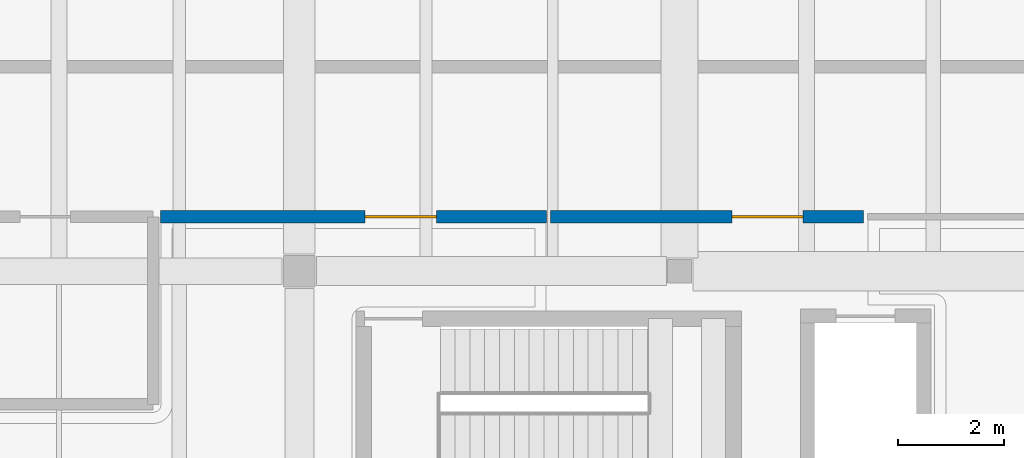
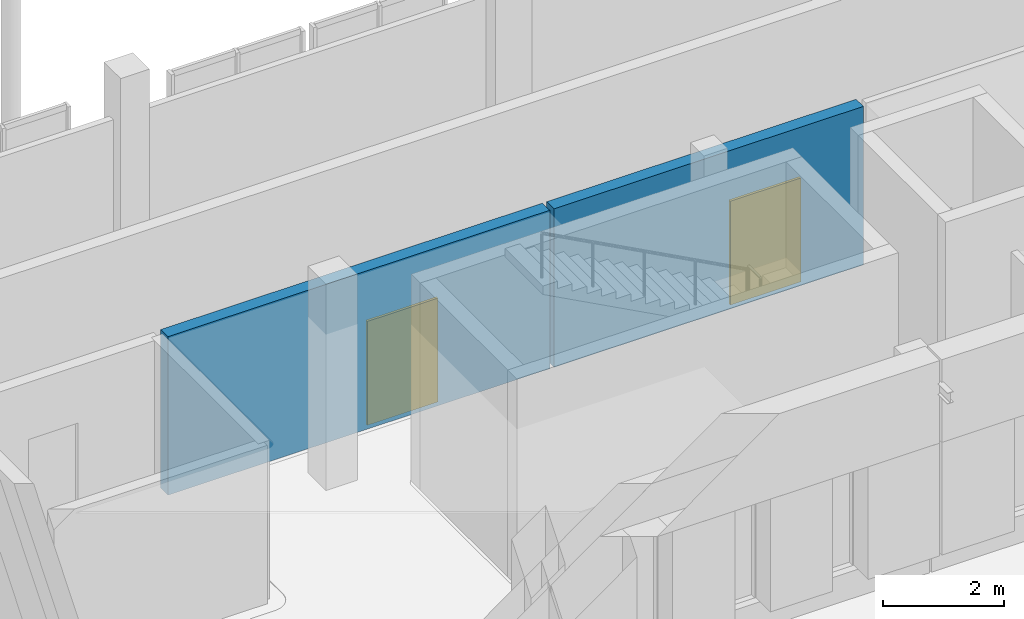
# One storey, part 50 of 77: 2 doors, 2 walls, 2 openings.
"""IFC4 building model written with IfcOpenShell, lengths in metres."""

from ifc_helpers import new_model, si_unit, direction, frame, frame_2d, origin, place, context, subcontext, project, spatial, rectangle, extrude, material, layer, layer_set, type_object, element, fill, save


model = new_model("IFC4")

# Units and contexts
model_context = context("Model", 3, precision=1e-05, world=origin(), true_north=direction((0.0, 1.0)))
body_context = subcontext(model_context, "Body", "Model", "MODEL_VIEW")
ifc_project = project(units=[si_unit("LENGTHUNIT", "METRE"), si_unit("AREAUNIT", "SQUARE_METRE"), si_unit("VOLUMEUNIT", "CUBIC_METRE"), si_unit("PLANEANGLEUNIT", "RADIAN"), si_unit("MASSUNIT", "GRAM", prefix="KILO")], contexts=[model_context])

# Site, building, storey
site_placement = place(None, origin())
site = spatial("IfcSite", under=ifc_project, at=site_placement, CompositionType="ELEMENT")
building_placement = place(site_placement, origin())
building = spatial("IfcBuilding", under=site, at=building_placement, Name="Vardoun Plaza Health Centre", CompositionType="ELEMENT")
storey_placement = place(building_placement, origin())
storey = spatial("IfcBuildingStorey", under=building, at=storey_placement, Name="L00", CompositionType="ELEMENT", Elevation=0.0)

# Wall, opening, door
ifc_material_1 = material(Name="Lead-Lined Concrete C35/45", Category="concrete")
ifc_layer = layer(ifc_material_1, 0.239990234375)
ifc_layer_set = layer_set([ifc_layer], Name="Lead-Lined Concrete C35/45")
wall_type = type_object("IfcWallType", Name="IW-03", PredefinedType="SOLIDWALL", material=ifc_layer_set)
wall_1_placement = place(storey_placement, frame((52.45361328125, 12.72998046875, 0.0), z_axis=(0.0, 0.0, 1.0), x_axis=(1.0, 0.0, 0.0)))
wall_1 = element("IfcWall", 1, at=wall_1_placement, inside=storey, type_object=wall_type, Name="Digital X-Ray Radiography Room 2 Partition Wall", PredefinedType="SOLIDWALL", context=body_context, shape_type="SweptSolid", body=[
    extrude(rectangle(XDim=7.306396484375, YDim=0.239990234375, at=frame_2d((3.6533203125, 0.0))), origin(), (0.0, 0.0, 1.0), 3.205078125),
])
opening_1_placement = place(wall_1_placement, frame((3.87158203125, 0.0, 0.0)))
opening_1 = element("IfcOpeningElement", 2, at=opening_1_placement, cuts=wall_1, Name="Opening D-L00-119", PredefinedType="OPENING", context=body_context, shape_type="SweptSolid", body=[
    extrude(rectangle(XDim=1.35009765625, YDim=2.10009765625, at=frame_2d((0.675048828125, 1.050048828125))), frame((0.0, 0.1201171875, 0.0), z_axis=(0.0, -1.0, 0.0), x_axis=(1.0, 0.0, 0.0)), (0.0, 0.0, 1.0), 0.239990234375),
])
ifc_material_2 = material(Name="Antimicrobial Acoustic Timber and Steel S275JR", Category="steel")
door_type = type_object("IfcDoorType", Name="CD-02", OperationType="NOTDEFINED", PredefinedType="DOOR", material=ifc_material_2)
door_1_placement = place(opening_1_placement, origin())
door_1 = element("IfcDoor", 3, at=door_1_placement, inside=storey, type_object=door_type, Name="Digital X-Ray Radiography Room 2 Door D-L00-119", OperationType="SINGLE_SWING_RIGHT", OverallHeight=2.10009765625, OverallWidth=1.35009765625, PredefinedType="DOOR", context=body_context, shape_type="SweptSolid", body=[
    extrude(rectangle(XDim=1.35009765625, YDim=2.10009765625, at=frame_2d((0.675048828125, 1.050048828125))), frame((0.0, 0.02490234375, 0.0), z_axis=(0.0, -1.0, 0.0), x_axis=(1.0, 0.0, 0.0)), (0.0, 0.0, 1.0), 0.050048828125),
])
fill(opening_1, door_1)

wall_2_placement = place(storey_placement, frame((59.840087890625, 12.72998046875, 0.0), z_axis=(0.0, 0.0, 1.0), x_axis=(1.0, 0.0, 0.0)))
wall_2 = element("IfcWall", 4, at=wall_2_placement, inside=storey, type_object=wall_type, Name="Diagnostic Imaging MRI Suite 1.5T A Partition Wall", PredefinedType="SOLIDWALL", context=body_context, shape_type="SweptSolid", body=[
    extrude(rectangle(XDim=5.919921875, YDim=0.239990234375, at=frame_2d((2.9599609375, 0.0))), origin(), (0.0, 0.0, 1.0), 3.205078125),
])
opening_2_placement = place(wall_2_placement, frame((3.427490234375, 0.0, 0.0)))
opening_2 = element("IfcOpeningElement", 5, at=opening_2_placement, cuts=wall_2, Name="Opening D-L00-122", PredefinedType="OPENING", context=body_context, shape_type="SweptSolid", body=[
    extrude(rectangle(XDim=1.35009765625, YDim=2.10009765625, at=frame_2d((0.675048828125, 1.050048828125))), frame((0.0, 0.1201171875, 0.0), z_axis=(0.0, -1.0, 0.0), x_axis=(1.0, 0.0, 0.0)), (0.0, 0.0, 1.0), 0.239990234375),
])
door_2_placement = place(opening_2_placement, origin())
door_2 = element("IfcDoor", 6, at=door_2_placement, inside=storey, type_object=door_type, Name="Diagnostic Imaging MRI Suite 1.5T A Door D-L00-122", OperationType="SINGLE_SWING_RIGHT", OverallHeight=2.10009765625, OverallWidth=1.35009765625, PredefinedType="DOOR", context=body_context, shape_type="SweptSolid", body=[
    extrude(rectangle(XDim=1.35009765625, YDim=2.10009765625, at=frame_2d((0.675048828125, 1.050048828125))), frame((0.0, 0.02490234375, 0.0), z_axis=(0.0, -1.0, 0.0), x_axis=(1.0, 0.0, 0.0)), (0.0, 0.0, 1.0), 0.050048828125),
])
fill(opening_2, door_2)

save(model, "model.ifc")
